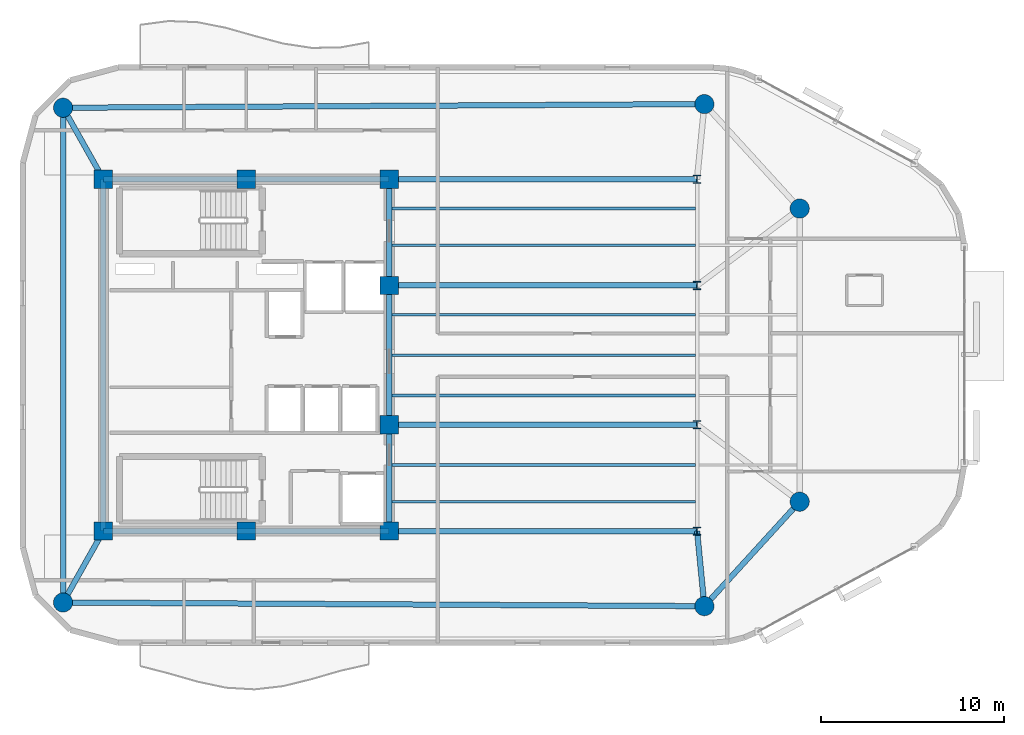
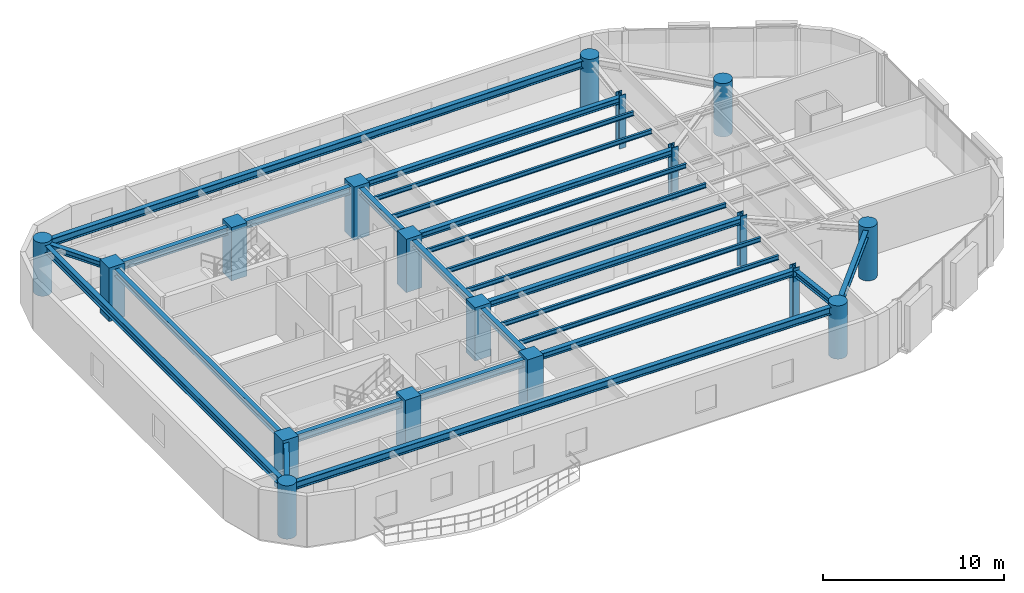
# One storey, part 1 of 13: 24 beams, 18 columns.
"""IFC4 building model written with IfcOpenShell, lengths in metres."""

from ifc_helpers import new_model, si_unit, direction, frame, origin, origin_2d, place, context, subcontext, project, spatial, rectangle, circle, i_section, extrude, material, material_profile, profile_set, type_object, element, save


model = new_model("IFC4")

# Units and contexts
model_context = context("Model", 3, precision=1e-05, world=origin(), true_north=direction((0.0, 1.0)))
body_context = subcontext(model_context, "Body", "Model", "MODEL_VIEW")
ifc_project = project(units=[si_unit("LENGTHUNIT", "METRE"), si_unit("AREAUNIT", "SQUARE_METRE"), si_unit("VOLUMEUNIT", "CUBIC_METRE"), si_unit("PLANEANGLEUNIT", "RADIAN"), si_unit("MASSUNIT", "GRAM", prefix="KILO")], contexts=[model_context])

# Site, building, storey
site_placement = place(None, origin())
site = spatial("IfcSite", under=ifc_project, at=site_placement, CompositionType="ELEMENT")
building_placement = place(site_placement, origin())
building = spatial("IfcBuilding", under=site, at=building_placement, Name="An Khanh Terracotta Commons", CompositionType="ELEMENT")
storey_placement = place(building_placement, frame((0.0, 0.0, 233.699951171875)))
storey = spatial("IfcBuildingStorey", under=building, at=storey_placement, Name="L61", CompositionType="ELEMENT", Elevation=233.699951171875)

# Columns
ifc_material_1 = material(Name="Concrete C60/75", Category="concrete")
ifc_material_profile_1 = material_profile(ifc_material_1, circle(Radius=0.52490234375, at=origin_2d()), Name="CFST1050")
ifc_profile_set_1 = profile_set([ifc_material_profile_1], Name="Concrete C60/75")
column_type_1 = type_object("IfcColumnType", Name="COL-CFST1050", PredefinedType="COLUMN", material=ifc_profile_set_1)
for number, where, z_axis, x_axis, name in (
    (1, (19.39990234375, 10.5, 0.0), (0.0, 0.0, 1.0), (1.0, 0.0, 0.0), "L61 Perimeter CFST Mega-Column MC-01"),
    (2, (54.39990234375, 10.300048828125, 0.0), (0.0, 0.0, 1.0), (1.0, 0.0, 0.0), "L61 Perimeter CFST Mega-Column MC-02"),
    (3, (59.60009765625, 16.0, 0.0), (0.0, 0.0, 1.0), (1.0, 0.0, 0.0), "L61 Perimeter CFST Mega-Column MC-03"),
    (4, (59.60009765625, 32.0, 0.0), (0.0, 0.0, 1.0), (1.0, 0.0, 0.0), "L61 Perimeter CFST Mega-Column MC-04"),
    (5, (54.39990234375, 37.699951171875, 0.0), (0.0, 0.0, 1.0), (1.0, 0.0, 0.0), "L61 Perimeter CFST Mega-Column MC-05"),
    (6, (19.39990234375, 37.5, 0.0), (0.0, 0.0, 1.0), (1.0, 0.0, 0.0), "L61 Perimeter CFST Mega-Column MC-06"),
):
    element("IfcColumn", number, at=place(storey_placement, frame(where, z_axis=z_axis, x_axis=x_axis)), inside=storey, type_object=column_type_1, Name=name, PredefinedType="COLUMN", context=body_context, shape_type="SweptSolid", body=[
        extrude(circle(Radius=0.52490234375, at=origin_2d()), origin(), (0.0, 0.0, 1.0), 3.60009765625),
    ])
ifc_material_2 = material(Name="Steel S460ML", Category="steel")
ifc_material_profile_2 = material_profile(ifc_material_2, i_section(OverallWidth=0.406005859375, OverallDepth=0.43994140625, WebThickness=0.02392578125, FlangeThickness=0.0390625, FilletRadius=0.014892578125, at=origin_2d()), Name="HD400x314")
ifc_profile_set_2 = profile_set([ifc_material_profile_2], Name="Steel S460ML")
column_type_2 = type_object("IfcColumnType", Name="COL-HD400x314", PredefinedType="COLUMN", material=ifc_profile_set_2)
for number, where, z_axis, x_axis, name in (
    (7, (54.0, 14.39990234375, 0.0), (0.0, 0.0, 1.0), (1.0, 0.0, 0.0), "L61 Interior Frame Column TC-01"),
    (8, (54.0, 20.199951171875, 0.0), (0.0, 0.0, 1.0), (1.0, 0.0, 0.0), "L61 Interior Frame Column TC-02"),
    (9, (54.0, 27.800048828125, 0.0), (0.0, 0.0, 1.0), (1.0, 0.0, 0.0), "L61 Interior Frame Column TC-03"),
    (10, (54.0, 33.60009765625, 0.0), (0.0, 0.0, 1.0), (1.0, 0.0, 0.0), "L61 Interior Frame Column TC-04"),
):
    element("IfcColumn", number, at=place(storey_placement, frame(where, z_axis=z_axis, x_axis=x_axis)), inside=storey, type_object=column_type_2, Name=name, PredefinedType="COLUMN", context=body_context, shape_type="SweptSolid", body=[
        extrude(i_section(OverallWidth=0.406005859375, OverallDepth=0.43994140625, WebThickness=0.02392578125, FlangeThickness=0.0390625, FilletRadius=0.014892578125, at=origin_2d()), origin(), (0.0, 0.0, 1.0), 3.60009765625),
    ])
ifc_material_profile_3 = material_profile(ifc_material_1, rectangle(XDim=1.0, YDim=1.0, at=origin_2d()), Name="RC1000x1000")
ifc_profile_set_3 = profile_set([ifc_material_profile_3], Name="Concrete C60/75")
column_type_3 = type_object("IfcColumnType", Name="COL-RC1000x1000", PredefinedType="COLUMN", material=ifc_profile_set_3)
for number, where, z_axis, x_axis, name in (
    (11, (21.60009765625, 14.39990234375, 0.0), (0.0, 0.0, 1.0), (1.0, 0.0, 0.0), "L61 Core Boundary Column CC-01"),
    (12, (29.39990234375, 14.39990234375, 0.0), (0.0, 0.0, 1.0), (1.0, 0.0, 0.0), "L61 Core Boundary Column CC-02"),
    (13, (37.199951171875, 14.39990234375, 0.0), (0.0, 0.0, 1.0), (1.0, 0.0, 0.0), "L61 Core Boundary Column CC-03"),
    (14, (37.199951171875, 20.199951171875, 0.0), (0.0, 0.0, 1.0), (1.0, 0.0, 0.0), "L61 Core Boundary Column CC-04"),
    (15, (37.199951171875, 27.800048828125, 0.0), (0.0, 0.0, 1.0), (1.0, 0.0, 0.0), "L61 Core Boundary Column CC-05"),
    (16, (37.199951171875, 33.60009765625, 0.0), (0.0, 0.0, 1.0), (1.0, 0.0, 0.0), "L61 Core Boundary Column CC-06"),
    (17, (29.39990234375, 33.60009765625, 0.0), (0.0, 0.0, 1.0), (1.0, 0.0, 0.0), "L61 Core Boundary Column CC-07"),
    (18, (21.60009765625, 33.60009765625, 0.0), (0.0, 0.0, 1.0), (1.0, 0.0, 0.0), "L61 Core Boundary Column CC-08"),
):
    element("IfcColumn", number, at=place(storey_placement, frame(where, z_axis=z_axis, x_axis=x_axis)), inside=storey, type_object=column_type_3, Name=name, PredefinedType="COLUMN", context=body_context, shape_type="SweptSolid", body=[
        extrude(rectangle(XDim=1.0, YDim=1.0, at=origin_2d()), origin(), (0.0, 0.0, 1.0), 3.60009765625),
    ])

# Beams
ifc_material_3 = material(Name="Steel S355J2", Category="steel")
ifc_material_profile_4 = material_profile(ifc_material_3, i_section(OverallWidth=0.300048828125, OverallDepth=0.39990234375, WebThickness=0.013427734375, FlangeThickness=0.02392578125, FilletRadius=0.027099609375, at=origin_2d()), Name="HEB400")
ifc_profile_set_4 = profile_set([ifc_material_profile_4], Name="Steel S355J2")
beam_type_1 = type_object("IfcBeamType", Name="BM-HEB400", PredefinedType="BEAM", material=ifc_profile_set_4)
for number, where, z_axis, x_axis, name in (
    (19, (37.199951171875, 14.39990234375, 3.199951171875), (1.0, 0.0, 0.0), (0.0, 1.0, 0.0), "L61 East Primary Floor Girder 1"),
    (20, (37.199951171875, 20.199951171875, 3.199951171875), (1.0, 0.0, 0.0), (0.0, 1.0, 0.0), "L61 East Primary Floor Girder 2"),
    (21, (37.199951171875, 27.800048828125, 3.199951171875), (1.0, 0.0, 0.0), (0.0, 1.0, 0.0), "L61 East Primary Floor Girder 3"),
    (22, (37.199951171875, 33.60009765625, 3.199951171875), (1.0, 0.0, 0.0), (0.0, 1.0, 0.0), "L61 East Primary Floor Girder 4"),
):
    element("IfcBeam", number, at=place(storey_placement, frame(where, z_axis=z_axis, x_axis=x_axis)), inside=storey, type_object=beam_type_1, Name=name, PredefinedType="BEAM", context=body_context, shape_type="SweptSolid", body=[
        extrude(i_section(OverallWidth=0.300048828125, OverallDepth=0.39990234375, WebThickness=0.013427734375, FlangeThickness=0.02392578125, FilletRadius=0.027099609375, at=origin_2d()), origin(), (0.0, 0.0, 1.0), 16.800048828125),
    ])
beam_1_placement = place(storey_placement, frame((19.39990234375, 10.5, 3.199951171875), z_axis=(0.491363608436, 0.870954536302, 0.0), x_axis=(-0.870954536302, 0.491363608436, 0.0)))
element("IfcBeam", 23, at=beam_1_placement, inside=storey, type_object=beam_type_1, Name="L61 Mega-Column Tie Girder 1", PredefinedType="BEAM", context=body_context, shape_type="SweptSolid", body=[
    extrude(i_section(OverallWidth=0.300048828125, OverallDepth=0.39990234375, WebThickness=0.013427734375, FlangeThickness=0.02392578125, FilletRadius=0.027099609375, at=origin_2d()), origin(), (0.0, 0.0, 1.0), 4.477783203125),
])
beam_2_placement = place(storey_placement, frame((54.39990234375, 10.300048828125, 3.199951171875), z_axis=(-0.097079917443, 0.995276589511, 0.0), x_axis=(-0.995276589511, -0.097079917443, 0.0)))
element("IfcBeam", 24, at=beam_2_placement, inside=storey, type_object=beam_type_1, Name="L61 Mega-Column Tie Girder 2", PredefinedType="BEAM", context=body_context, shape_type="SweptSolid", body=[
    extrude(i_section(OverallWidth=0.300048828125, OverallDepth=0.39990234375, WebThickness=0.013427734375, FlangeThickness=0.02392578125, FilletRadius=0.027099609375, at=origin_2d()), origin(), (0.0, 0.0, 1.0), 4.119384765625),
])
beam_3_placement = place(storey_placement, frame((19.39990234375, 37.5, 3.199951171875), z_axis=(0.491363608436, -0.870954536302, 0.0), x_axis=(0.870954536302, 0.491363608436, 0.0)))
element("IfcBeam", 25, at=beam_3_placement, inside=storey, type_object=beam_type_1, Name="L61 Mega-Column Tie Girder 6", PredefinedType="BEAM", context=body_context, shape_type="SweptSolid", body=[
    extrude(i_section(OverallWidth=0.300048828125, OverallDepth=0.39990234375, WebThickness=0.013427734375, FlangeThickness=0.02392578125, FilletRadius=0.027099609375, at=origin_2d()), origin(), (0.0, 0.0, 1.0), 4.477783203125),
])
ifc_material_profile_5 = material_profile(ifc_material_3, i_section(OverallWidth=0.300048828125, OverallDepth=0.449951171875, WebThickness=0.013916015625, FlangeThickness=0.02587890625, FilletRadius=0.027099609375, at=origin_2d()), Name="HEB450")
ifc_profile_set_5 = profile_set([ifc_material_profile_5], Name="Steel S355J2")
beam_type_2 = type_object("IfcBeamType", Name="BM-HEB450", PredefinedType="BEAM", material=ifc_profile_set_5)
beam_4_placement = place(storey_placement, frame((37.199951171875, 14.39990234375, 3.175048828125), z_axis=(0.0, 1.0, 0.0), x_axis=(-1.0, 0.0, 0.0)))
element("IfcBeam", 26, at=beam_4_placement, inside=storey, type_object=beam_type_2, Name="L61 Core East Coupling Girder 1", PredefinedType="BEAM", context=body_context, shape_type="SweptSolid", body=[
    extrude(i_section(OverallWidth=0.300048828125, OverallDepth=0.449951171875, WebThickness=0.013916015625, FlangeThickness=0.02587890625, FilletRadius=0.027099609375, at=origin_2d()), origin(), (0.0, 0.0, 1.0), 5.800048828125),
])
beam_5_placement = place(storey_placement, frame((37.199951171875, 20.199951171875, 3.175048828125), z_axis=(0.0, 1.0, 0.0), x_axis=(-1.0, 0.0, 0.0)))
element("IfcBeam", 27, at=beam_5_placement, inside=storey, type_object=beam_type_2, Name="L61 Core East Coupling Girder 2", PredefinedType="BEAM", context=body_context, shape_type="SweptSolid", body=[
    extrude(i_section(OverallWidth=0.300048828125, OverallDepth=0.449951171875, WebThickness=0.013916015625, FlangeThickness=0.02587890625, FilletRadius=0.027099609375, at=origin_2d()), origin(), (0.0, 0.0, 1.0), 7.60009765625),
])
beam_6_placement = place(storey_placement, frame((37.199951171875, 27.800048828125, 3.175048828125), z_axis=(0.0, 1.0, 0.0), x_axis=(-1.0, 0.0, 0.0)))
element("IfcBeam", 28, at=beam_6_placement, inside=storey, type_object=beam_type_2, Name="L61 Core East Coupling Girder 3", PredefinedType="BEAM", context=body_context, shape_type="SweptSolid", body=[
    extrude(i_section(OverallWidth=0.300048828125, OverallDepth=0.449951171875, WebThickness=0.013916015625, FlangeThickness=0.02587890625, FilletRadius=0.027099609375, at=origin_2d()), origin(), (0.0, 0.0, 1.0), 5.800048828125),
])
beam_7_placement = place(storey_placement, frame((21.60009765625, 14.39990234375, 3.175048828125), z_axis=(0.0, 1.0, 0.0), x_axis=(-1.0, 0.0, 0.0)))
element("IfcBeam", 29, at=beam_7_placement, inside=storey, type_object=beam_type_2, Name="L61 Core West Coupling Girder", PredefinedType="BEAM", context=body_context, shape_type="SweptSolid", body=[
    extrude(i_section(OverallWidth=0.300048828125, OverallDepth=0.449951171875, WebThickness=0.013916015625, FlangeThickness=0.02587890625, FilletRadius=0.027099609375, at=origin_2d()), origin(), (0.0, 0.0, 1.0), 19.2001953125),
])
ifc_material_profile_6 = material_profile(ifc_material_3, i_section(OverallWidth=0.300048828125, OverallDepth=0.5, WebThickness=0.014404296875, FlangeThickness=0.028076171875, FilletRadius=0.027099609375, at=origin_2d()), Name="HEB500")
ifc_profile_set_6 = profile_set([ifc_material_profile_6], Name="Steel S355J2")
beam_type_3 = type_object("IfcBeamType", Name="BM-HEB500", PredefinedType="BEAM", material=ifc_profile_set_6)
for number, where, z_axis, x_axis, name in (
    (30, (21.60009765625, 14.39990234375, 3.150146484375), (1.0, 0.0, 0.0), (0.0, 1.0, 0.0), "L61 Core South Coupling Girder"),
    (31, (21.60009765625, 33.60009765625, 3.150146484375), (1.0, 0.0, 0.0), (0.0, 1.0, 0.0), "L61 Core North Coupling Girder"),
):
    element("IfcBeam", number, at=place(storey_placement, frame(where, z_axis=z_axis, x_axis=x_axis)), inside=storey, type_object=beam_type_3, Name=name, PredefinedType="BEAM", context=body_context, shape_type="SweptSolid", body=[
        extrude(i_section(OverallWidth=0.300048828125, OverallDepth=0.5, WebThickness=0.014404296875, FlangeThickness=0.028076171875, FilletRadius=0.027099609375, at=origin_2d()), origin(), (0.0, 0.0, 1.0), 15.599853515625),
    ])
beam_8_placement = place(storey_placement, frame((19.39990234375, 10.5, 3.150146484375), z_axis=(0.99998368184, -0.005712797401, 0.0), x_axis=(0.005712797401, 0.99998368184, 0.0)))
element("IfcBeam", 32, at=beam_8_placement, inside=storey, type_object=beam_type_3, Name="L61 Perimeter Ring Spandrel 1", PredefinedType="BEAM", context=body_context, shape_type="SweptSolid", body=[
    extrude(i_section(OverallWidth=0.300048828125, OverallDepth=0.5, WebThickness=0.014404296875, FlangeThickness=0.028076171875, FilletRadius=0.027099609375, at=origin_2d()), origin(), (0.0, 0.0, 1.0), 35.00048828125),
])
beam_9_placement = place(storey_placement, frame((54.39990234375, 10.300048828125, 3.150146484375), z_axis=(0.673978953902, 0.738750546326, 0.0), x_axis=(-0.738750546326, 0.673978953902, 0.0)))
element("IfcBeam", 33, at=beam_9_placement, inside=storey, type_object=beam_type_3, Name="L61 Perimeter Ring Spandrel 2", PredefinedType="BEAM", context=body_context, shape_type="SweptSolid", body=[
    extrude(i_section(OverallWidth=0.300048828125, OverallDepth=0.5, WebThickness=0.014404296875, FlangeThickness=0.028076171875, FilletRadius=0.027099609375, at=origin_2d()), origin(), (0.0, 0.0, 1.0), 7.715576171875),
])
beam_10_placement = place(storey_placement, frame((54.39990234375, 37.699951171875, 3.150146484375), z_axis=(-0.99998368184, -0.005712797401, 0.0), x_axis=(0.005712797401, -0.99998368184, 0.0)))
element("IfcBeam", 34, at=beam_10_placement, inside=storey, type_object=beam_type_3, Name="L61 Perimeter Ring Spandrel 5", PredefinedType="BEAM", context=body_context, shape_type="SweptSolid", body=[
    extrude(i_section(OverallWidth=0.300048828125, OverallDepth=0.5, WebThickness=0.014404296875, FlangeThickness=0.028076171875, FilletRadius=0.027099609375, at=origin_2d()), origin(), (0.0, 0.0, 1.0), 35.00048828125),
])
beam_11_placement = place(storey_placement, frame((19.39990234375, 37.5, 3.150146484375), z_axis=(0.0, -1.0, 0.0), x_axis=(1.0, 0.0, 0.0)))
element("IfcBeam", 35, at=beam_11_placement, inside=storey, type_object=beam_type_3, Name="L61 Perimeter Ring Spandrel 6", PredefinedType="BEAM", context=body_context, shape_type="SweptSolid", body=[
    extrude(i_section(OverallWidth=0.300048828125, OverallDepth=0.5, WebThickness=0.014404296875, FlangeThickness=0.028076171875, FilletRadius=0.027099609375, at=origin_2d()), origin(), (0.0, 0.0, 1.0), 27.0),
])
ifc_material_profile_7 = material_profile(ifc_material_3, i_section(OverallWidth=0.14990234375, OverallDepth=0.300048828125, WebThickness=0.007080078125, FlangeThickness=0.0107421875, FilletRadius=0.014892578125, at=origin_2d()), Name="IPE300")
ifc_profile_set_7 = profile_set([ifc_material_profile_7], Name="Steel S355J2")
beam_type_4 = type_object("IfcBeamType", Name="BM-IPE300", PredefinedType="JOIST", material=ifc_profile_set_7)
for number, where, z_axis, x_axis, name in (
    (36, (37.199951171875, 16.0, 3.25), (1.0, 0.0, 0.0), (0.0, 1.0, 0.0), "L61 Inboard Composite Joist 1"),
    (37, (37.199951171875, 18.0, 3.25), (1.0, 0.0, 0.0), (0.0, 1.0, 0.0), "L61 Inboard Composite Joist 2"),
    (38, (37.199951171875, 21.800048828125, 3.25), (1.0, 0.0, 0.0), (0.0, 1.0, 0.0), "L61 Inboard Composite Joist 3"),
    (39, (37.199951171875, 24.0, 3.25), (1.0, 0.0, 0.0), (0.0, 1.0, 0.0), "L61 Inboard Composite Joist 4"),
    (40, (37.199951171875, 26.199951171875, 3.25), (1.0, 0.0, 0.0), (0.0, 1.0, 0.0), "L61 Inboard Composite Joist 5"),
    (41, (37.199951171875, 30.0, 3.25), (1.0, 0.0, 0.0), (0.0, 1.0, 0.0), "L61 Inboard Composite Joist 6"),
    (42, (37.199951171875, 32.0, 3.25), (1.0, 0.0, 0.0), (0.0, 1.0, 0.0), "L61 Inboard Composite Joist 7"),
):
    element("IfcBeam", number, at=place(storey_placement, frame(where, z_axis=z_axis, x_axis=x_axis)), inside=storey, type_object=beam_type_4, Name=name, PredefinedType="JOIST", context=body_context, shape_type="SweptSolid", body=[
        extrude(i_section(OverallWidth=0.14990234375, OverallDepth=0.300048828125, WebThickness=0.007080078125, FlangeThickness=0.0107421875, FilletRadius=0.014892578125, at=origin_2d()), origin(), (0.0, 0.0, 1.0), 16.705078125),
    ])

save(model, "model.ifc")
